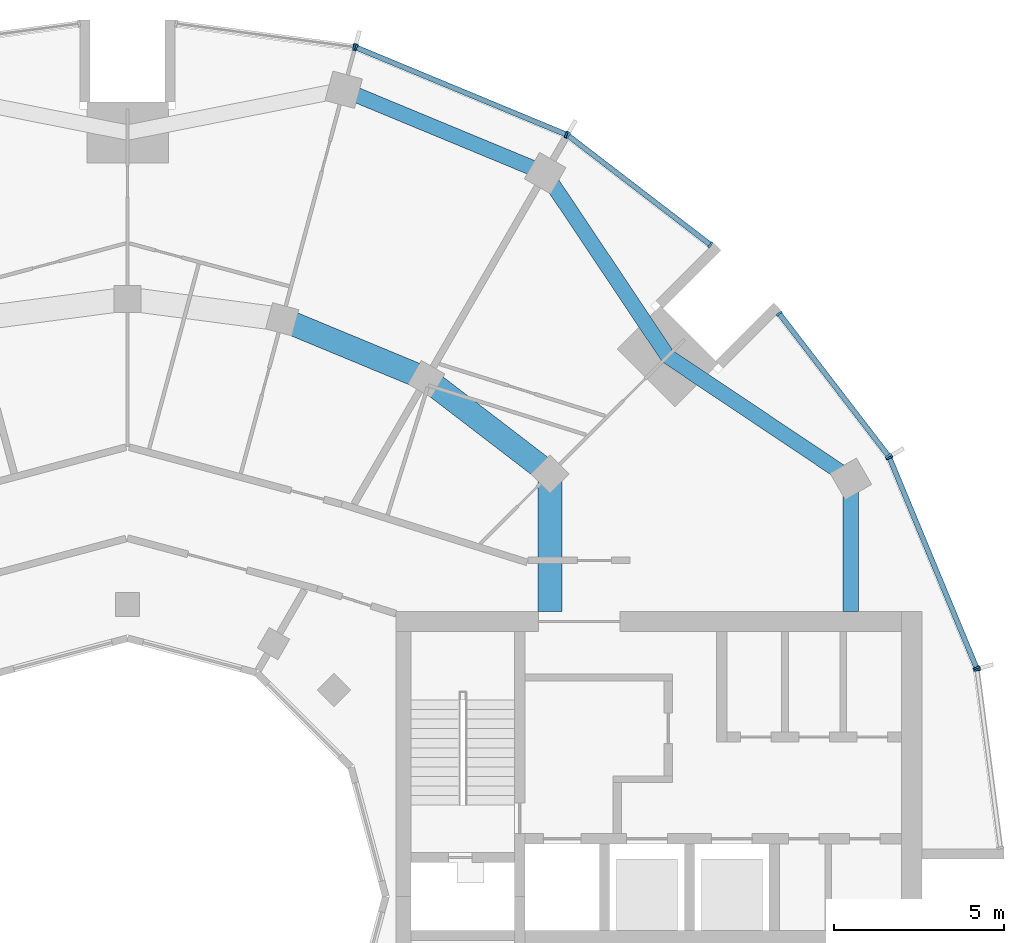
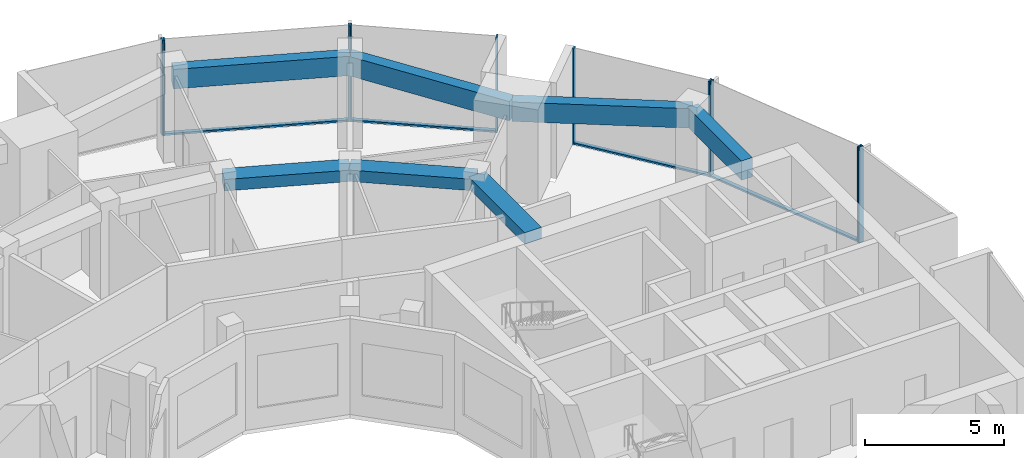
# One storey, part 6 of 15: 14 members, 7 beams, 6 elements without a shape of their own.
"""IFC4 building model written with IfcOpenShell, lengths in metres."""

from ifc_helpers import new_model, si_unit, direction, frame, origin, origin_2d, place, context, subcontext, project, spatial, rectangle, extrude, material, layer, layer_set, material_profile, profile_set, type_object, element, aggregate, save


model = new_model("IFC4")

# Units and contexts
model_context = context("Model", 3, precision=1e-05, world=origin(), true_north=direction((0.0, 1.0)))
body_context = subcontext(model_context, "Body", "Model", "MODEL_VIEW")
ifc_project = project(units=[si_unit("LENGTHUNIT", "METRE"), si_unit("AREAUNIT", "SQUARE_METRE"), si_unit("VOLUMEUNIT", "CUBIC_METRE"), si_unit("PLANEANGLEUNIT", "RADIAN"), si_unit("MASSUNIT", "GRAM", prefix="KILO")], contexts=[model_context])

# Site, building, storey
site_placement = place(None, origin())
site = spatial("IfcSite", under=ifc_project, at=site_placement, CompositionType="ELEMENT")
building_placement = place(site_placement, origin())
building = spatial("IfcBuilding", under=site, at=building_placement, Name="Torre Brocal", CompositionType="ELEMENT")
storey_placement = place(building_placement, frame((0.0, 0.0, 254.10009765625)))
storey = spatial("IfcBuildingStorey", under=building, at=storey_placement, Name="L58", CompositionType="ELEMENT", Elevation=254.10009765625)

# Curtain wall, members
ifc_material_1 = material(Name="Aluminium and glass", Category="aluminium")
ifc_layer_1 = layer(ifc_material_1, 0.199951171875)
ifc_layer_set_1 = layer_set([ifc_layer_1], Name="Aluminium and glass")
curtain_wall_type_1 = type_object("IfcCurtainWallType", Name="CW-1 CURTAIN WALL 4200 HIGH", PredefinedType="NOTDEFINED", material=ifc_layer_set_1)
curtain_wall_1_placement = place(storey_placement, origin())
curtain_wall_1 = element("IfcCurtainWall", 1, at=curtain_wall_1_placement, inside=storey, type_object=curtain_wall_type_1, Name="CW-1 RUN 2", PredefinedType="NOTDEFINED")
ifc_material_2 = material(Name="Aluminium, dark anodised", Category="aluminium")
ifc_material_profile_1 = material_profile(ifc_material_2, rectangle(XDim=0.199951171875, YDim=0.06005859375, at=origin_2d()), Name="CW-1 MULLION 60X200")
ifc_profile_set_1 = profile_set([ifc_material_profile_1], Name="Aluminium, dark anodised")
member_type_1 = type_object("IfcMemberType", Name="CW-1 MULLION 60X200", PredefinedType="MULLION", material=ifc_profile_set_1)
member_1_placement = place(storey_placement, frame((105.005126953125, 81.73095703125, 0.0), z_axis=(0.0, 0.0, 1.0), x_axis=(-0.923879532525, -0.382683432333, 0.0)))
member_1 = element("IfcMember", 2, at=member_1_placement, type_object=member_type_1, Name="CW1-5 mullion 1", PredefinedType="MULLION", context=body_context, shape_type="SweptSolid", body=[
    extrude(rectangle(XDim=0.199951171875, YDim=0.06005859375, at=origin_2d()), origin(), (0.0, 0.0, 1.0), 4.199951171875),
])
member_2_placement = place(storey_placement, frame((102.440673828125, 87.921875, 0.0), z_axis=(0.0, 0.0, 1.0), x_axis=(-0.923879532525, -0.382683432333, 0.0)))
member_2 = element("IfcMember", 3, at=member_2_placement, type_object=member_type_1, Name="CW1-5 mullion 2", PredefinedType="MULLION", context=body_context, shape_type="SweptSolid", body=[
    extrude(rectangle(XDim=0.199951171875, YDim=0.06005859375, at=origin_2d()), origin(), (0.0, 0.0, 1.0), 4.199951171875),
])

curtain_wall_2_placement = place(storey_placement, origin())
curtain_wall_2 = element("IfcCurtainWall", 4, at=curtain_wall_2_placement, inside=storey, type_object=curtain_wall_type_1, Name="CW-1 RUN 3", PredefinedType="NOTDEFINED")
member_3_placement = place(storey_placement, frame((102.4111328125, 87.973388671875, 0.0), z_axis=(0.0, 0.0, 1.0), x_axis=(-0.793353340259, -0.60876142905, 0.0)))
member_3 = element("IfcMember", 5, at=member_3_placement, type_object=member_type_1, Name="CW1-5 mullion 1", PredefinedType="MULLION", context=body_context, shape_type="SweptSolid", body=[
    extrude(rectangle(XDim=0.199951171875, YDim=0.06005859375, at=origin_2d()), origin(), (0.0, 0.0, 1.0), 4.199951171875),
])
member_4_placement = place(storey_placement, frame((99.19140625, 92.16943359375, 0.0), z_axis=(0.0, 0.0, 1.0), x_axis=(-0.793353340259, -0.60876142905, 0.0)))
member_4 = element("IfcMember", 6, at=member_4_placement, type_object=member_type_1, Name="CW1-5 mullion 2", PredefinedType="MULLION", context=body_context, shape_type="SweptSolid", body=[
    extrude(rectangle(XDim=0.199951171875, YDim=0.06005859375, at=origin_2d()), origin(), (0.0, 0.0, 1.0), 4.199951171875),
])

curtain_wall_3_placement = place(storey_placement, origin())
curtain_wall_3 = element("IfcCurtainWall", 7, at=curtain_wall_3_placement, inside=storey, type_object=curtain_wall_type_1, Name="CW-1 RUN 4", PredefinedType="NOTDEFINED")
member_5_placement = place(storey_placement, frame((97.16943359375, 94.19140625, 0.0), z_axis=(0.0, 0.0, 1.0), x_axis=(-0.60876142905, -0.793353340259, 0.0)))
member_5 = element("IfcMember", 8, at=member_5_placement, type_object=member_type_1, Name="CW1-5 mullion 1", PredefinedType="MULLION", context=body_context, shape_type="SweptSolid", body=[
    extrude(rectangle(XDim=0.199951171875, YDim=0.06005859375, at=origin_2d()), origin(), (0.0, 0.0, 1.0), 4.199951171875),
])
member_6_placement = place(storey_placement, frame((92.973388671875, 97.4111328125, 0.0), z_axis=(0.0, 0.0, 1.0), x_axis=(-0.60876142905, -0.793353340259, 0.0)))
member_6 = element("IfcMember", 9, at=member_6_placement, type_object=member_type_1, Name="CW1-5 mullion 2", PredefinedType="MULLION", context=body_context, shape_type="SweptSolid", body=[
    extrude(rectangle(XDim=0.199951171875, YDim=0.06005859375, at=origin_2d()), origin(), (0.0, 0.0, 1.0), 4.199951171875),
])

curtain_wall_4_placement = place(storey_placement, origin())
curtain_wall_4 = element("IfcCurtainWall", 10, at=curtain_wall_4_placement, inside=storey, type_object=curtain_wall_type_1, Name="CW-1 RUN 5", PredefinedType="NOTDEFINED")
member_7_placement = place(storey_placement, frame((92.921875, 97.440673828125, 0.0), z_axis=(0.0, 0.0, 1.0), x_axis=(-0.382683432333, -0.923879532525, 0.0)))
member_7 = element("IfcMember", 11, at=member_7_placement, type_object=member_type_1, Name="CW1-5 mullion 1", PredefinedType="MULLION", context=body_context, shape_type="SweptSolid", body=[
    extrude(rectangle(XDim=0.199951171875, YDim=0.06005859375, at=origin_2d()), origin(), (0.0, 0.0, 1.0), 4.199951171875),
])
member_8_placement = place(storey_placement, frame((86.73095703125, 100.005126953125, 0.0), z_axis=(0.0, 0.0, 1.0), x_axis=(-0.382683432333, -0.923879532525, 0.0)))
member_8 = element("IfcMember", 12, at=member_8_placement, type_object=member_type_1, Name="CW1-5 mullion 2", PredefinedType="MULLION", context=body_context, shape_type="SweptSolid", body=[
    extrude(rectangle(XDim=0.199951171875, YDim=0.06005859375, at=origin_2d()), origin(), (0.0, 0.0, 1.0), 4.199951171875),
])

# Curtain wall, member
curtain_wall_5_placement = place(storey_placement, origin())
curtain_wall_5 = element("IfcCurtainWall", 13, at=curtain_wall_5_placement, inside=storey, type_object=curtain_wall_type_1, Name="CW-1 RUN 6", PredefinedType="NOTDEFINED")
member_9_placement = place(storey_placement, frame((86.67333984375, 100.0205078125, 0.0), z_axis=(0.0, 0.0, 1.0), x_axis=(-0.13052619222, -0.991444861374, 0.0)))
member_9 = element("IfcMember", 14, at=member_9_placement, type_object=member_type_1, Name="CW1-5 mullion 1", PredefinedType="MULLION", context=body_context, shape_type="SweptSolid", body=[
    extrude(rectangle(XDim=0.199951171875, YDim=0.06005859375, at=origin_2d()), origin(), (0.0, 0.0, 1.0), 4.199951171875),
])
aggregate(curtain_wall_5, [member_9])

# Member
ifc_material_3 = material(Name="Aluminium, dark anodised", Category="aluminium")
ifc_material_profile_2 = material_profile(ifc_material_3, rectangle(XDim=0.159912109375, YDim=0.080078125, at=origin_2d()), Name="CW-1 TRANSOM 160X80")
ifc_profile_set_2 = profile_set([ifc_material_profile_2], Name="Aluminium, dark anodised")
member_type_2 = type_object("IfcMemberType", Name="CW-1 TRANSOM 160X80", PredefinedType="USERDEFINED", material=ifc_profile_set_2)
member_10_placement = place(storey_placement, frame((104.99365234375, 81.758544921875, 0.039794921875), z_axis=(-0.38266457234, 0.923887344364, 0.0), x_axis=(-0.923887344364, -0.38266457234, 0.0)))
member_10 = element("IfcMember", 15, at=member_10_placement, type_object=member_type_2, Name="CW1-5 transom 1.1", ObjectType="TRANSOM", PredefinedType="USERDEFINED", context=body_context, shape_type="SweptSolid", body=[
    extrude(rectangle(XDim=0.159912109375, YDim=0.080078125, at=origin_2d()), origin(), (0.0, 0.0, 1.0), 6.640869140625),
])

aggregate(curtain_wall_1, [member_1, member_2, member_10])

member_11_placement = place(storey_placement, frame((102.392822265625, 87.9970703125, 0.039794921875), z_axis=(-0.60874908096, 0.79336281513, 0.0), x_axis=(-0.79336281513, -0.60874908096, 0.0)))
member_11 = element("IfcMember", 16, at=member_11_placement, type_object=member_type_2, Name="CW1-5 transom 1.1", ObjectType="TRANSOM", PredefinedType="USERDEFINED", context=body_context, shape_type="SweptSolid", body=[
    extrude(rectangle(XDim=0.159912109375, YDim=0.080078125, at=origin_2d()), origin(), (0.0, 0.0, 1.0), 5.22900390625),
])

aggregate(curtain_wall_2, [member_3, member_4, member_11])

member_12_placement = place(storey_placement, frame((97.1455078125, 94.209716796875, 0.039794921875), z_axis=(-0.79336281513, 0.60874908096, 0.0), x_axis=(-0.60874908096, -0.79336281513, 0.0)))
member_12 = element("IfcMember", 17, at=member_12_placement, type_object=member_type_2, Name="CW1-5 transom 1.1", ObjectType="TRANSOM", PredefinedType="USERDEFINED", context=body_context, shape_type="SweptSolid", body=[
    extrude(rectangle(XDim=0.159912109375, YDim=0.080078125, at=origin_2d()), origin(), (0.0, 0.0, 1.0), 5.22900390625),
])

aggregate(curtain_wall_3, [member_5, member_6, member_12])

member_13_placement = place(storey_placement, frame((92.89404296875, 97.452392578125, 0.039794921875), z_axis=(-0.923887344364, 0.38266457234, 0.0), x_axis=(-0.38266457234, -0.923887344364, 0.0)))
member_13 = element("IfcMember", 18, at=member_13_placement, type_object=member_type_2, Name="CW1-5 transom 1.1", ObjectType="TRANSOM", PredefinedType="USERDEFINED", context=body_context, shape_type="SweptSolid", body=[
    extrude(rectangle(XDim=0.159912109375, YDim=0.080078125, at=origin_2d()), origin(), (0.0, 0.0, 1.0), 6.640869140625),
])

aggregate(curtain_wall_4, [member_7, member_8, member_13])

# Curtain wall, member
ifc_material_4 = material(Name="Aluminium and glass", Category="aluminium")
ifc_layer_2 = layer(ifc_material_4, 0.199951171875)
ifc_layer_set_2 = layer_set([ifc_layer_2], Name="Aluminium and glass")
curtain_wall_type_2 = type_object("IfcCurtainWallType", Name="CW-1B CURTAIN WALL 4200 HIGH", PredefinedType="NOTDEFINED", material=ifc_layer_set_2)
curtain_wall_6_placement = place(storey_placement, origin())
curtain_wall_6 = element("IfcCurtainWall", 19, at=curtain_wall_6_placement, inside=storey, type_object=curtain_wall_type_2, Name="CW-1B RUN 1", PredefinedType="NOTDEFINED")
ifc_material_5 = material(Name="Aluminium, dark anodised", Category="aluminium")
ifc_material_profile_3 = material_profile(ifc_material_5, rectangle(XDim=0.199951171875, YDim=0.06005859375, at=origin_2d()), Name="CW-1B MULLION 60X200")
ifc_profile_set_3 = profile_set([ifc_material_profile_3], Name="Aluminium, dark anodised")
member_type_3 = type_object("IfcMemberType", Name="CW-1B MULLION 60X200", PredefinedType="MULLION", material=ifc_profile_set_3)
member_14_placement = place(storey_placement, frame((105.0205078125, 81.67333984375, 0.0), z_axis=(0.0, 0.0, 1.0), x_axis=(-0.991444861374, -0.13052619222, 0.0)))
member_14 = element("IfcMember", 20, at=member_14_placement, type_object=member_type_3, Name="CW1B-5 mullion 2", PredefinedType="MULLION", context=body_context, shape_type="SweptSolid", body=[
    extrude(rectangle(XDim=0.199951171875, YDim=0.06005859375, at=origin_2d()), origin(), (0.0, 0.0, 1.0), 4.199951171875),
])
aggregate(curtain_wall_6, [member_14])

# Beams
ifc_material_6 = material(Name="Concrete C50", Category="concrete")
ifc_material_profile_4 = material_profile(ifc_material_6, rectangle(XDim=0.699951171875, YDim=0.5, at=origin_2d()), Name="RC 700X500")
ifc_profile_set_4 = profile_set([ifc_material_profile_4], Name="Concrete C50")
beam_type_1 = type_object("IfcBeamType", Name="RC BEAM 700X500 C50 TOP 3880", PredefinedType="BEAM", material=ifc_profile_set_4)
beam_1_placement = place(storey_placement, frame((92.445068359375, 87.445068359375, 3.6298828125), z_axis=(-0.793358265959, 0.6087550097, 0.0), x_axis=(-0.6087550097, -0.793358265959, 0.0)))
element("IfcBeam", 21, at=beam_1_placement, inside=storey, type_object=beam_type_1, Name="Beam BT-37", PredefinedType="BEAM", context=body_context, shape_type="SweptSolid", body=[
    extrude(rectangle(XDim=0.699951171875, YDim=0.5, at=origin_2d()), origin(), (0.0, 0.0, 1.0), 4.594482421875),
])
beam_2_placement = place(storey_placement, frame((88.800048828125, 90.241943359375, 3.6298828125), z_axis=(-0.923878240166, 0.382686552348, 0.0), x_axis=(-0.382686552348, -0.923878240166, 0.0)))
element("IfcBeam", 22, at=beam_2_placement, inside=storey, type_object=beam_type_1, Name="Beam BT-37", PredefinedType="BEAM", context=body_context, shape_type="SweptSolid", body=[
    extrude(rectangle(XDim=0.699951171875, YDim=0.5, at=origin_2d()), origin(), (0.0, 0.0, 1.0), 4.5947265625),
])
beam_3_placement = place(storey_placement, frame((92.445068359375, 87.445068359375, 3.6298828125), z_axis=(0.0, -1.0, 0.0), x_axis=(1.0, 0.0, 0.0)))
element("IfcBeam", 23, at=beam_3_placement, inside=storey, type_object=beam_type_1, Name="Beam BT-37", PredefinedType="BEAM", context=body_context, shape_type="SweptSolid", body=[
    extrude(rectangle(XDim=0.699951171875, YDim=0.5, at=origin_2d()), origin(), (0.0, 0.0, 1.0), 4.045166015625),
])
ifc_material_7 = material(Name="Concrete C50", Category="concrete")
ifc_material_profile_5 = material_profile(ifc_material_7, rectangle(XDim=0.449951171875, YDim=0.85009765625, at=origin_2d()), Name="RC 450X850")
ifc_profile_set_5 = profile_set([ifc_material_profile_5], Name="Concrete C50")
beam_type_2 = type_object("IfcBeamType", Name="RC SPANDREL BEAM 450X850 C50 TOP 3880", PredefinedType="SPANDREL", material=ifc_profile_set_5)
for number, where, z_axis, x_axis, name in (
    (24, (101.30419921875, 87.300048828125, 3.454833984375), (-0.831076844476, 0.556157602282, 0.0), (-0.556157602282, -0.831076844476, 0.0), "Beam BT-38"),
    (25, (95.909912109375, 90.909912109375, 3.454833984375), (-0.556157602282, 0.831076844476, 0.0), (-0.831076844476, -0.556157602282, 0.0), "Beam BT-38"),
):
    element("IfcBeam", number, at=place(storey_placement, frame(where, z_axis=z_axis, x_axis=x_axis)), inside=storey, type_object=beam_type_2, Name=name, PredefinedType="SPANDREL", context=body_context, shape_type="SweptSolid", body=[
        extrude(rectangle(XDim=0.449951171875, YDim=0.85009765625, at=origin_2d()), origin(), (0.0, 0.0, 1.0), 6.49072265625),
    ])
beam_4_placement = place(storey_placement, frame((92.300048828125, 96.30419921875, 3.454833984375), z_axis=(-0.923882462513, 0.382676358639, 0.0), x_axis=(-0.382676358639, -0.923882462513, 0.0)))
element("IfcBeam", 26, at=beam_4_placement, inside=storey, type_object=beam_type_2, Name="Beam BT-38", PredefinedType="SPANDREL", context=body_context, shape_type="SweptSolid", body=[
    extrude(rectangle(XDim=0.449951171875, YDim=0.85009765625, at=origin_2d()), origin(), (0.0, 0.0, 1.0), 6.421875),
])
beam_5_placement = place(storey_placement, frame((101.30419921875, 87.300048828125, 3.454833984375), z_axis=(0.0, -1.0, 0.0), x_axis=(1.0, 0.0, 0.0)))
element("IfcBeam", 27, at=beam_5_placement, inside=storey, type_object=beam_type_2, Name="Beam BT-38", PredefinedType="SPANDREL", context=body_context, shape_type="SweptSolid", body=[
    extrude(rectangle(XDim=0.449951171875, YDim=0.85009765625, at=origin_2d()), origin(), (0.0, 0.0, 1.0), 3.900146484375),
])

save(model, "model.ifc")
